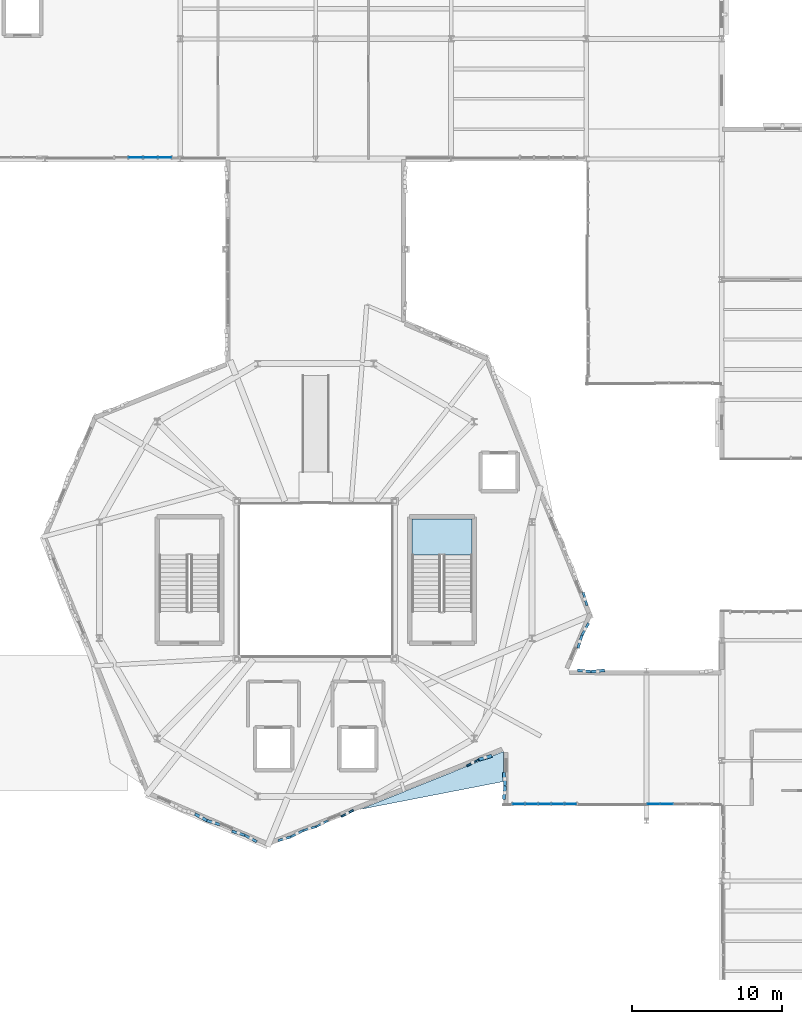
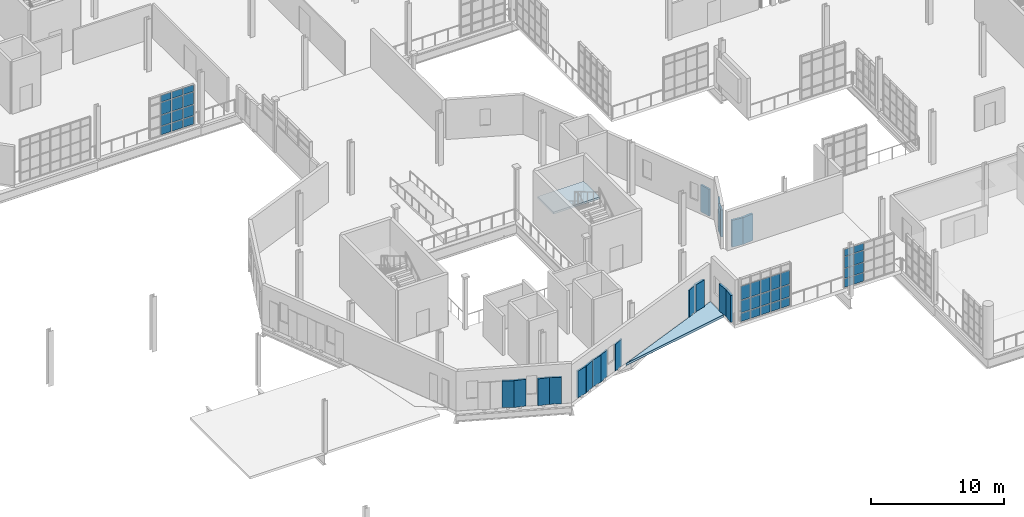
# One storey, part 80 of 122: 53 plates, 2 slabs, 4 elements without a shape of their own.
"""IFC4 building model written with IfcOpenShell, lengths in metres."""

from ifc_helpers import new_model, si_unit, direction, frame, frame_2d, origin, origin_2d, place, context, subcontext, project, spatial, polyline, rectangle, outline, extrude, material, layer, layer_set, type_object, element, aggregate, save


model = new_model("IFC4")

# Units and contexts
model_context = context("Model", 3, precision=1e-05, world=origin(), true_north=direction((0.0, 1.0)))
body_context = subcontext(model_context, "Body", "Model", "MODEL_VIEW")
ifc_project = project(units=[si_unit("LENGTHUNIT", "METRE"), si_unit("AREAUNIT", "SQUARE_METRE"), si_unit("VOLUMEUNIT", "CUBIC_METRE"), si_unit("PLANEANGLEUNIT", "RADIAN"), si_unit("MASSUNIT", "GRAM", prefix="KILO"), si_unit("THERMODYNAMICTEMPERATUREUNIT", "KELVIN"), si_unit("POWERUNIT", "WATT")], contexts=[model_context])

# Site, building, storey
site_placement = place(None, origin())
site = spatial("IfcSite", under=ifc_project, at=site_placement, CompositionType="ELEMENT")
building_placement = place(site_placement, origin())
building = spatial("IfcBuilding", under=site, at=building_placement, Name="Zelmaris Science Centre", CompositionType="ELEMENT")
storey_placement = place(building_placement, frame((0.0, 0.0, 10.800048828125)))
storey = spatial("IfcBuildingStorey", under=building, at=storey_placement, Name="L02", CompositionType="ELEMENT", Elevation=10.800048828125)

# Curtain wall, plates
ifc_material_1 = material(Name="Anodised architectural aluminium 6063-T6", Category="aluminium")
ifc_layer_1 = layer(ifc_material_1, 0.18994140625, Name="Anodised architectural aluminium 6063-T6")
ifc_layer_set_1 = layer_set([ifc_layer_1], Name="Anodised architectural aluminium 6063-T6")
curtain_wall_type_1 = type_object("IfcCurtainWallType", Name="Curtain Wall CW-01", PredefinedType="USERDEFINED", material=ifc_layer_set_1)
curtain_wall_1_placement = place(storey_placement, origin())
curtain_wall_1 = element("IfcCurtainWall", 1, at=curtain_wall_1_placement, inside=storey, type_object=curtain_wall_type_1, Name="L02 Unitised curtain wall 249", ObjectType="GLAZED CURTAIN WALL", PredefinedType="USERDEFINED")
ifc_material_2 = material(Name="Laminated hurricane-rated low-E insulated glazing", Category="glass")
ifc_layer_2 = layer(ifc_material_2, 0.031982421875, Name="Laminated hurricane-rated low-E insulated glazing")
ifc_layer_set_2 = layer_set([ifc_layer_2], Name="Laminated hurricane-rated low-E insulated glazing")
plate_type_1 = type_object("IfcPlateType", Name="Curtain Glazing Panel CWP-1 32mm", PredefinedType="CURTAIN_PANEL", material=ifc_layer_set_2)
plate_1_placement = place(storey_placement, frame((97.9580078125, 21.1201171875, 0.05712890625), z_axis=(0.0, 0.0, 1.0), x_axis=(-0.999999999739, 2.286603e-05, 0.0)))
plate_1 = element("IfcPlate", 2, at=plate_1_placement, type_object=plate_type_1, Name="CW-01 panel 1.1", PredefinedType="CURTAIN_PANEL", context=body_context, shape_type="SweptSolid", body=[
    extrude(rectangle(XDim=0.7666015625, YDim=0.031982421875, at=origin_2d()), origin(), (0.0, 0.0, 1.0), 0.741943359375),
])
plate_2_placement = place(storey_placement, frame((97.9580078125, 21.1201171875, 0.87109375), z_axis=(0.0, 0.0, 1.0), x_axis=(-0.999999999739, 2.286603e-05, 0.0)))
plate_2 = element("IfcPlate", 3, at=plate_2_placement, type_object=plate_type_1, Name="CW-01 panel 1.2", PredefinedType="CURTAIN_PANEL", context=body_context, shape_type="SweptSolid", body=[
    extrude(rectangle(XDim=0.7666015625, YDim=0.031982421875, at=origin_2d()), origin(), (0.0, 0.0, 1.0), 1.095458984375),
])
plate_3_placement = place(storey_placement, frame((97.9580078125, 21.1201171875, 2.038330078125), z_axis=(0.0, 0.0, 1.0), x_axis=(-0.999999999739, 2.286603e-05, 0.0)))
plate_3 = element("IfcPlate", 4, at=plate_3_placement, type_object=plate_type_1, Name="CW-01 panel 1.3", PredefinedType="CURTAIN_PANEL", context=body_context, shape_type="SweptSolid", body=[
    extrude(rectangle(XDim=0.7666015625, YDim=0.031982421875, at=origin_2d()), origin(), (0.0, 0.0, 1.0), 1.24560546875),
])
plate_4_placement = place(storey_placement, frame((97.101318359375, 21.1201171875, 0.05712890625), z_axis=(0.0, 0.0, 1.0), x_axis=(-0.999999999739, 2.286603e-05, 0.0)))
plate_4 = element("IfcPlate", 5, at=plate_4_placement, type_object=plate_type_1, Name="CW-01 panel 2.1", PredefinedType="CURTAIN_PANEL", context=body_context, shape_type="SweptSolid", body=[
    extrude(rectangle(XDim=0.802734375, YDim=0.031982421875, at=origin_2d()), origin(), (0.0, 0.0, 1.0), 0.741943359375),
])
plate_5_placement = place(storey_placement, frame((97.101318359375, 21.1201171875, 0.87109375), z_axis=(0.0, 0.0, 1.0), x_axis=(-0.999999999739, 2.286603e-05, 0.0)))
plate_5 = element("IfcPlate", 6, at=plate_5_placement, type_object=plate_type_1, Name="CW-01 panel 2.2", PredefinedType="CURTAIN_PANEL", context=body_context, shape_type="SweptSolid", body=[
    extrude(rectangle(XDim=0.802734375, YDim=0.031982421875, at=origin_2d()), origin(), (0.0, 0.0, 1.0), 1.095458984375),
])
plate_6_placement = place(storey_placement, frame((97.101318359375, 21.1201171875, 2.038330078125), z_axis=(0.0, 0.0, 1.0), x_axis=(-0.999999999739, 2.286603e-05, 0.0)))
plate_6 = element("IfcPlate", 7, at=plate_6_placement, type_object=plate_type_1, Name="CW-01 panel 2.3", PredefinedType="CURTAIN_PANEL", context=body_context, shape_type="SweptSolid", body=[
    extrude(rectangle(XDim=0.802734375, YDim=0.031982421875, at=origin_2d()), origin(), (0.0, 0.0, 1.0), 1.24560546875),
])
plate_7_placement = place(storey_placement, frame((96.226806640625, 21.1201171875, 0.05712890625), z_axis=(0.0, 0.0, 1.0), x_axis=(-0.999999999739, 2.286603e-05, 0.0)))
plate_7 = element("IfcPlate", 8, at=plate_7_placement, type_object=plate_type_1, Name="CW-01 panel 3.1", PredefinedType="CURTAIN_PANEL", context=body_context, shape_type="SweptSolid", body=[
    extrude(rectangle(XDim=0.802734375, YDim=0.031982421875, at=origin_2d()), origin(), (0.0, 0.0, 1.0), 0.741943359375),
])
plate_8_placement = place(storey_placement, frame((96.226806640625, 21.1201171875, 0.87109375), z_axis=(0.0, 0.0, 1.0), x_axis=(-0.999999999739, 2.286603e-05, 0.0)))
plate_8 = element("IfcPlate", 9, at=plate_8_placement, type_object=plate_type_1, Name="CW-01 panel 3.2", PredefinedType="CURTAIN_PANEL", context=body_context, shape_type="SweptSolid", body=[
    extrude(rectangle(XDim=0.802734375, YDim=0.031982421875, at=origin_2d()), origin(), (0.0, 0.0, 1.0), 1.095458984375),
])
plate_9_placement = place(storey_placement, frame((96.226806640625, 21.1201171875, 2.038330078125), z_axis=(0.0, 0.0, 1.0), x_axis=(-0.999999999739, 2.286603e-05, 0.0)))
plate_9 = element("IfcPlate", 10, at=plate_9_placement, type_object=plate_type_1, Name="CW-01 panel 3.3", PredefinedType="CURTAIN_PANEL", context=body_context, shape_type="SweptSolid", body=[
    extrude(rectangle(XDim=0.802734375, YDim=0.031982421875, at=origin_2d()), origin(), (0.0, 0.0, 1.0), 1.24560546875),
])
plate_10_placement = place(storey_placement, frame((95.35205078125, 21.1201171875, 0.05712890625), z_axis=(0.0, 0.0, 1.0), x_axis=(-0.999999999739, 2.286603e-05, 0.0)))
plate_10 = element("IfcPlate", 11, at=plate_10_placement, type_object=plate_type_1, Name="CW-01 panel 4.1", PredefinedType="CURTAIN_PANEL", context=body_context, shape_type="SweptSolid", body=[
    extrude(rectangle(XDim=0.802734375, YDim=0.031982421875, at=origin_2d()), origin(), (0.0, 0.0, 1.0), 0.741943359375),
])
plate_11_placement = place(storey_placement, frame((95.35205078125, 21.1201171875, 0.87109375), z_axis=(0.0, 0.0, 1.0), x_axis=(-0.999999999739, 2.286603e-05, 0.0)))
plate_11 = element("IfcPlate", 12, at=plate_11_placement, type_object=plate_type_1, Name="CW-01 panel 4.2", PredefinedType="CURTAIN_PANEL", context=body_context, shape_type="SweptSolid", body=[
    extrude(rectangle(XDim=0.802734375, YDim=0.031982421875, at=origin_2d()), origin(), (0.0, 0.0, 1.0), 1.095458984375),
])
plate_12_placement = place(storey_placement, frame((95.35205078125, 21.1201171875, 2.038330078125), z_axis=(0.0, 0.0, 1.0), x_axis=(-0.999999999739, 2.286603e-05, 0.0)))
plate_12 = element("IfcPlate", 13, at=plate_12_placement, type_object=plate_type_1, Name="CW-01 panel 4.3", PredefinedType="CURTAIN_PANEL", context=body_context, shape_type="SweptSolid", body=[
    extrude(rectangle(XDim=0.802734375, YDim=0.031982421875, at=origin_2d()), origin(), (0.0, 0.0, 1.0), 1.24560546875),
])
plate_13_placement = place(storey_placement, frame((94.495361328125, 21.1201171875, 0.05712890625), z_axis=(0.0, 0.0, 1.0), x_axis=(-0.999999999739, 2.286603e-05, 0.0)))
plate_13 = element("IfcPlate", 14, at=plate_13_placement, type_object=plate_type_1, Name="CW-01 panel 5.1", PredefinedType="CURTAIN_PANEL", context=body_context, shape_type="SweptSolid", body=[
    extrude(rectangle(XDim=0.7666015625, YDim=0.031982421875, at=origin_2d()), origin(), (0.0, 0.0, 1.0), 0.741943359375),
])
plate_14_placement = place(storey_placement, frame((94.495361328125, 21.1201171875, 0.87109375), z_axis=(0.0, 0.0, 1.0), x_axis=(-0.999999999739, 2.286603e-05, 0.0)))
plate_14 = element("IfcPlate", 15, at=plate_14_placement, type_object=plate_type_1, Name="CW-01 panel 5.2", PredefinedType="CURTAIN_PANEL", context=body_context, shape_type="SweptSolid", body=[
    extrude(rectangle(XDim=0.7666015625, YDim=0.031982421875, at=origin_2d()), origin(), (0.0, 0.0, 1.0), 1.095458984375),
])
plate_15_placement = place(storey_placement, frame((94.495361328125, 21.1201171875, 2.038330078125), z_axis=(0.0, 0.0, 1.0), x_axis=(-0.999999999739, 2.286603e-05, 0.0)))
plate_15 = element("IfcPlate", 16, at=plate_15_placement, type_object=plate_type_1, Name="CW-01 panel 5.3", PredefinedType="CURTAIN_PANEL", context=body_context, shape_type="SweptSolid", body=[
    extrude(rectangle(XDim=0.7666015625, YDim=0.031982421875, at=origin_2d()), origin(), (0.0, 0.0, 1.0), 1.24560546875),
])
aggregate(curtain_wall_1, [plate_1, plate_2, plate_3, plate_4, plate_5, plate_6, plate_7, plate_8, plate_9, plate_10, plate_11, plate_12, plate_13, plate_14, plate_15])

ifc_layer_3 = layer(ifc_material_1, 0.199951171875, Name="Anodised architectural aluminium 6063-T6")
ifc_layer_set_3 = layer_set([ifc_layer_3], Name="Anodised architectural aluminium 6063-T6")
curtain_wall_type_2 = type_object("IfcCurtainWallType", Name="Curtain Wall CW-02", PredefinedType="USERDEFINED", material=ifc_layer_set_3)
curtain_wall_2_placement = place(storey_placement, origin())
curtain_wall_2 = element("IfcCurtainWall", 17, at=curtain_wall_2_placement, inside=storey, type_object=curtain_wall_type_2, Name="L02 Unitised curtain wall 254", ObjectType="GLAZED CURTAIN WALL", PredefinedType="USERDEFINED")
ifc_layer_4 = layer(ifc_material_2, 0.028076171875, Name="Laminated hurricane-rated low-E insulated glazing")
ifc_layer_set_4 = layer_set([ifc_layer_4], Name="Laminated hurricane-rated low-E insulated glazing")
plate_type_2 = type_object("IfcPlateType", Name="Curtain Glazing Panel CWP-2 28mm", PredefinedType="CURTAIN_PANEL", material=ifc_layer_set_4)
plate_16_placement = place(storey_placement, frame((70.955810546875, 64.116455078125, 0.052001953125), z_axis=(0.0, 0.0, 1.0), x_axis=(-0.999999973373, 0.000230769229, 0.0)))
plate_16 = element("IfcPlate", 18, at=plate_16_placement, type_object=plate_type_2, Name="CW-02 panel 1.1", PredefinedType="CURTAIN_PANEL", context=body_context, shape_type="SweptSolid", body=[
    extrude(rectangle(XDim=0.87451171875, YDim=0.028076171875, at=origin_2d()), origin(), (0.0, 0.0, 1.0), 0.74951171875),
])
plate_17_placement = place(storey_placement, frame((70.955810546875, 64.116455078125, 0.868408203125), z_axis=(0.0, 0.0, 1.0), x_axis=(-0.999999973373, 0.000230769229, 0.0)))
plate_17 = element("IfcPlate", 19, at=plate_17_placement, type_object=plate_type_2, Name="CW-02 panel 1.2", PredefinedType="CURTAIN_PANEL", context=body_context, shape_type="SweptSolid", body=[
    extrude(rectangle(XDim=0.87451171875, YDim=0.028076171875, at=origin_2d()), origin(), (0.0, 0.0, 1.0), 0.9580078125),
])
plate_18_placement = place(storey_placement, frame((70.955810546875, 64.116455078125, 1.8935546875), z_axis=(0.0, 0.0, 1.0), x_axis=(-0.999999973373, 0.000230769229, 0.0)))
plate_18 = element("IfcPlate", 20, at=plate_18_placement, type_object=plate_type_2, Name="CW-02 panel 1.3", PredefinedType="CURTAIN_PANEL", context=body_context, shape_type="SweptSolid", body=[
    extrude(rectangle(XDim=0.87451171875, YDim=0.028076171875, at=origin_2d()), origin(), (0.0, 0.0, 1.0), 1.10791015625),
])
plate_19_placement = place(storey_placement, frame((70.955810546875, 64.116455078125, 3.068359375), z_axis=(0.0, 0.0, 1.0), x_axis=(-0.999999973373, 0.000230769229, 0.0)))
plate_19 = element("IfcPlate", 21, at=plate_19_placement, type_object=plate_type_2, Name="CW-02 panel 1.4", PredefinedType="CURTAIN_PANEL", context=body_context, shape_type="SweptSolid", body=[
    extrude(rectangle(XDim=0.87451171875, YDim=0.028076171875, at=origin_2d()), origin(), (0.0, 0.0, 1.0), 0.599609375),
])
plate_20_placement = place(storey_placement, frame((69.99755859375, 64.11669921875, 0.052001953125), z_axis=(0.0, 0.0, 1.0), x_axis=(-0.999999973373, 0.000230769229, 0.0)))
plate_20 = element("IfcPlate", 22, at=plate_20_placement, type_object=plate_type_2, Name="CW-02 panel 2.1", PredefinedType="CURTAIN_PANEL", context=body_context, shape_type="SweptSolid", body=[
    extrude(rectangle(XDim=0.907958984375, YDim=0.028076171875, at=origin_2d()), origin(), (0.0, 0.0, 1.0), 0.74951171875),
])
plate_21_placement = place(storey_placement, frame((69.99755859375, 64.11669921875, 0.868408203125), z_axis=(0.0, 0.0, 1.0), x_axis=(-0.999999973373, 0.000230769229, 0.0)))
plate_21 = element("IfcPlate", 23, at=plate_21_placement, type_object=plate_type_2, Name="CW-02 panel 2.2", PredefinedType="CURTAIN_PANEL", context=body_context, shape_type="SweptSolid", body=[
    extrude(rectangle(XDim=0.907958984375, YDim=0.028076171875, at=origin_2d()), origin(), (0.0, 0.0, 1.0), 0.9580078125),
])
plate_22_placement = place(storey_placement, frame((69.99755859375, 64.11669921875, 1.8935546875), z_axis=(0.0, 0.0, 1.0), x_axis=(-0.999999973373, 0.000230769229, 0.0)))
plate_22 = element("IfcPlate", 24, at=plate_22_placement, type_object=plate_type_2, Name="CW-02 panel 2.3", PredefinedType="CURTAIN_PANEL", context=body_context, shape_type="SweptSolid", body=[
    extrude(rectangle(XDim=0.907958984375, YDim=0.028076171875, at=origin_2d()), origin(), (0.0, 0.0, 1.0), 1.10791015625),
])
plate_23_placement = place(storey_placement, frame((69.99755859375, 64.11669921875, 3.068359375), z_axis=(0.0, 0.0, 1.0), x_axis=(-0.999999973373, 0.000230769229, 0.0)))
plate_23 = element("IfcPlate", 25, at=plate_23_placement, type_object=plate_type_2, Name="CW-02 panel 2.4", PredefinedType="CURTAIN_PANEL", context=body_context, shape_type="SweptSolid", body=[
    extrude(rectangle(XDim=0.907958984375, YDim=0.028076171875, at=origin_2d()), origin(), (0.0, 0.0, 1.0), 0.599609375),
])
plate_24_placement = place(storey_placement, frame((69.0224609375, 64.116943359375, 0.052001953125), z_axis=(0.0, 0.0, 1.0), x_axis=(-0.999999973373, 0.000230769229, 0.0)))
plate_24 = element("IfcPlate", 26, at=plate_24_placement, type_object=plate_type_2, Name="CW-02 panel 3.1", PredefinedType="CURTAIN_PANEL", context=body_context, shape_type="SweptSolid", body=[
    extrude(rectangle(XDim=0.907958984375, YDim=0.028076171875, at=origin_2d()), origin(), (0.0, 0.0, 1.0), 0.74951171875),
])
plate_25_placement = place(storey_placement, frame((69.0224609375, 64.116943359375, 0.868408203125), z_axis=(0.0, 0.0, 1.0), x_axis=(-0.999999973373, 0.000230769229, 0.0)))
plate_25 = element("IfcPlate", 27, at=plate_25_placement, type_object=plate_type_2, Name="CW-02 panel 3.2", PredefinedType="CURTAIN_PANEL", context=body_context, shape_type="SweptSolid", body=[
    extrude(rectangle(XDim=0.907958984375, YDim=0.028076171875, at=origin_2d()), origin(), (0.0, 0.0, 1.0), 0.9580078125),
])
plate_26_placement = place(storey_placement, frame((69.0224609375, 64.116943359375, 1.8935546875), z_axis=(0.0, 0.0, 1.0), x_axis=(-0.999999973373, 0.000230769229, 0.0)))
plate_26 = element("IfcPlate", 28, at=plate_26_placement, type_object=plate_type_2, Name="CW-02 panel 3.3", PredefinedType="CURTAIN_PANEL", context=body_context, shape_type="SweptSolid", body=[
    extrude(rectangle(XDim=0.907958984375, YDim=0.028076171875, at=origin_2d()), origin(), (0.0, 0.0, 1.0), 1.10791015625),
])
plate_27_placement = place(storey_placement, frame((69.0224609375, 64.116943359375, 3.068359375), z_axis=(0.0, 0.0, 1.0), x_axis=(-0.999999973373, 0.000230769229, 0.0)))
plate_27 = element("IfcPlate", 29, at=plate_27_placement, type_object=plate_type_2, Name="CW-02 panel 3.4", PredefinedType="CURTAIN_PANEL", context=body_context, shape_type="SweptSolid", body=[
    extrude(rectangle(XDim=0.907958984375, YDim=0.028076171875, at=origin_2d()), origin(), (0.0, 0.0, 1.0), 0.599609375),
])
aggregate(curtain_wall_2, [plate_16, plate_17, plate_18, plate_19, plate_20, plate_21, plate_22, plate_23, plate_24, plate_25, plate_26, plate_27])

ifc_layer_5 = layer(ifc_material_1, 0.2099609375, Name="Anodised architectural aluminium 6063-T6")
ifc_layer_set_5 = layer_set([ifc_layer_5], Name="Anodised architectural aluminium 6063-T6")
curtain_wall_type_3 = type_object("IfcCurtainWallType", Name="Curtain Wall CW-03", PredefinedType="USERDEFINED", material=ifc_layer_set_5)
curtain_wall_3_placement = place(storey_placement, origin())
curtain_wall_3 = element("IfcCurtainWall", 30, at=curtain_wall_3_placement, inside=storey, type_object=curtain_wall_type_3, Name="L02 Unitised curtain wall 247", ObjectType="GLAZED CURTAIN WALL", PredefinedType="USERDEFINED")
ifc_layer_6 = layer(ifc_material_2, 0.02587890625, Name="Laminated hurricane-rated low-E insulated glazing")
ifc_layer_set_6 = layer_set([ifc_layer_6], Name="Laminated hurricane-rated low-E insulated glazing")
plate_type_3 = type_object("IfcPlateType", Name="Curtain Glazing Panel CWP-3 26mm", PredefinedType="CURTAIN_PANEL", material=ifc_layer_set_6)
plate_28_placement = place(storey_placement, frame((104.338623046875, 21.1201171875, 0.0419921875), z_axis=(0.0, 0.0, 1.0), x_axis=(-1.0, 0.0, 0.0)))
plate_28 = element("IfcPlate", 31, at=plate_28_placement, type_object=plate_type_3, Name="CW-03 panel 4.1", PredefinedType="CURTAIN_PANEL", context=body_context, shape_type="SweptSolid", body=[
    extrude(rectangle(XDim=0.817626953125, YDim=0.02587890625, at=origin_2d()), origin(), (0.0, 0.0, 1.0), 0.764404296875),
])
plate_29_placement = place(storey_placement, frame((104.338623046875, 21.1201171875, 0.86328125), z_axis=(0.0, 0.0, 1.0), x_axis=(-1.0, 0.0, 0.0)))
plate_29 = element("IfcPlate", 32, at=plate_29_placement, type_object=plate_type_3, Name="CW-03 panel 4.2", PredefinedType="CURTAIN_PANEL", context=body_context, shape_type="SweptSolid", body=[
    extrude(rectangle(XDim=0.817626953125, YDim=0.02587890625, at=origin_2d()), origin(), (0.0, 0.0, 1.0), 0.886962890625),
])
plate_30_placement = place(storey_placement, frame((104.338623046875, 21.1201171875, 1.807373046875), z_axis=(0.0, 0.0, 1.0), x_axis=(-1.0, 0.0, 0.0)))
plate_30 = element("IfcPlate", 33, at=plate_30_placement, type_object=plate_type_3, Name="CW-03 panel 4.3", PredefinedType="CURTAIN_PANEL", context=body_context, shape_type="SweptSolid", body=[
    extrude(rectangle(XDim=0.817626953125, YDim=0.02587890625, at=origin_2d()), origin(), (0.0, 0.0, 1.0), 1.037109375),
])
plate_31_placement = place(storey_placement, frame((104.338623046875, 21.1201171875, 2.9013671875), z_axis=(0.0, 0.0, 1.0), x_axis=(-1.0, 0.0, 0.0)))
plate_31 = element("IfcPlate", 34, at=plate_31_placement, type_object=plate_type_3, Name="CW-03 panel 4.4", PredefinedType="CURTAIN_PANEL", context=body_context, shape_type="SweptSolid", body=[
    extrude(rectangle(XDim=0.817626953125, YDim=0.02587890625, at=origin_2d()), origin(), (0.0, 0.0, 1.0), 0.614501953125),
])
plate_32_placement = place(storey_placement, frame((103.478271484375, 21.1201171875, 0.0419921875), z_axis=(0.0, 0.0, 1.0), x_axis=(-1.0, 0.0, 0.0)))
plate_32 = element("IfcPlate", 35, at=plate_32_placement, type_object=plate_type_3, Name="CW-03 panel 5.1", PredefinedType="CURTAIN_PANEL", context=body_context, shape_type="SweptSolid", body=[
    extrude(rectangle(XDim=0.7890625, YDim=0.02587890625, at=origin_2d()), origin(), (0.0, 0.0, 1.0), 0.764404296875),
])
plate_33_placement = place(storey_placement, frame((103.478271484375, 21.1201171875, 0.86328125), z_axis=(0.0, 0.0, 1.0), x_axis=(-1.0, 0.0, 0.0)))
plate_33 = element("IfcPlate", 36, at=plate_33_placement, type_object=plate_type_3, Name="CW-03 panel 5.2", PredefinedType="CURTAIN_PANEL", context=body_context, shape_type="SweptSolid", body=[
    extrude(rectangle(XDim=0.7890625, YDim=0.02587890625, at=origin_2d()), origin(), (0.0, 0.0, 1.0), 0.886962890625),
])
plate_34_placement = place(storey_placement, frame((103.478271484375, 21.1201171875, 1.807373046875), z_axis=(0.0, 0.0, 1.0), x_axis=(-1.0, 0.0, 0.0)))
plate_34 = element("IfcPlate", 37, at=plate_34_placement, type_object=plate_type_3, Name="CW-03 panel 5.3", PredefinedType="CURTAIN_PANEL", context=body_context, shape_type="SweptSolid", body=[
    extrude(rectangle(XDim=0.7890625, YDim=0.02587890625, at=origin_2d()), origin(), (0.0, 0.0, 1.0), 1.037109375),
])
plate_35_placement = place(storey_placement, frame((103.478271484375, 21.1201171875, 2.9013671875), z_axis=(0.0, 0.0, 1.0), x_axis=(-1.0, 0.0, 0.0)))
plate_35 = element("IfcPlate", 38, at=plate_35_placement, type_object=plate_type_3, Name="CW-03 panel 5.4", PredefinedType="CURTAIN_PANEL", context=body_context, shape_type="SweptSolid", body=[
    extrude(rectangle(XDim=0.7890625, YDim=0.02587890625, at=origin_2d()), origin(), (0.0, 0.0, 1.0), 0.614501953125),
])
aggregate(curtain_wall_3, [plate_28, plate_29, plate_30, plate_31, plate_32, plate_33, plate_34, plate_35])

# Plates
ifc_material_3 = material(Name="Precast concrete C40/50", Category="concrete")
ifc_layer_7 = layer(ifc_material_3, 0.110107421875, Name="Precast concrete C40/50")
ifc_layer_set_7 = layer_set([ifc_layer_7], Name="Precast concrete C40/50")
plate_type_4 = type_object("IfcPlateType", Name="Precast Facet Panel FP-01 110mm", PredefinedType="SHEET", material=ifc_layer_set_7)
plate_36_placement = place(storey_placement, frame((91.845703125, 24.064453125, 0.02001953125), z_axis=(0.0, 0.0, 1.0), x_axis=(-0.884783561399, -0.466002199005, 0.0)))
element("IfcPlate", 39, at=plate_36_placement, inside=storey, type_object=plate_type_4, Name="L02 Folded precast facet panel 60", PredefinedType="SHEET", context=body_context, shape_type="SweptSolid", body=[
    extrude(rectangle(XDim=0.90478515625, YDim=0.110107421875, at=frame_2d((0.452392578125, 0.0))), origin(), (0.0, 0.0, 1.0), 2.4599609375),
])
ifc_layer_8 = layer(ifc_material_3, 0.1201171875, Name="Precast concrete C40/50")
ifc_layer_set_8 = layer_set([ifc_layer_8], Name="Precast concrete C40/50")
plate_type_5 = type_object("IfcPlateType", Name="Precast Facet Panel FP-02 120mm", PredefinedType="SHEET", material=ifc_layer_set_8)
plate_37_placement = place(storey_placement, frame((83.498779296875, 20.697998046875, 0.02001953125), z_axis=(0.0, 0.0, 1.0), x_axis=(-0.884836233744, -0.465902177987, 0.0)))
element("IfcPlate", 40, at=plate_37_placement, inside=storey, type_object=plate_type_5, Name="L02 Folded precast facet panel 61", PredefinedType="SHEET", context=body_context, shape_type="SweptSolid", body=[
    extrude(rectangle(XDim=0.904541015625, YDim=0.1201171875, at=frame_2d((0.4521484375, 0.0))), origin(), (0.0, 0.0, 1.0), 2.4599609375),
])
ifc_layer_9 = layer(ifc_material_3, 0.1298828125, Name="Precast concrete C40/50")
ifc_layer_set_9 = layer_set([ifc_layer_9], Name="Precast concrete C40/50")
plate_type_6 = type_object("IfcPlateType", Name="Precast Facet Panel FP-03 130mm", PredefinedType="SHEET", material=ifc_layer_set_9)
plate_38_placement = place(storey_placement, frame((81.82958984375, 20.02490234375, 0.02001953125), z_axis=(0.0, 0.0, 1.0), x_axis=(-0.884783561399, -0.466002199005, 0.0)))
element("IfcPlate", 41, at=plate_38_placement, inside=storey, type_object=plate_type_6, Name="L02 Folded precast facet panel 62", PredefinedType="SHEET", context=body_context, shape_type="SweptSolid", body=[
    extrude(rectangle(XDim=0.90478515625, YDim=0.1298828125, at=frame_2d((0.452392578125, 0.0))), origin(), (0.0, 0.0, 1.0), 2.4599609375),
])
ifc_layer_10 = layer(ifc_material_3, 0.139892578125, Name="Precast concrete C40/50")
ifc_layer_set_10 = layer_set([ifc_layer_10], Name="Precast concrete C40/50")
plate_type_7 = type_object("IfcPlateType", Name="Precast Facet Panel FP-04 140mm", PredefinedType="SHEET", material=ifc_layer_set_10)
plate_39_placement = place(storey_placement, frame((81.029052734375, 19.603271484375, 0.02001953125), z_axis=(0.0, 0.0, 1.0), x_axis=(-0.960509234571, -0.278248109256, 0.0)))
element("IfcPlate", 42, at=plate_39_placement, inside=storey, type_object=plate_type_7, Name="L02 Folded precast facet panel 63", PredefinedType="SHEET", context=body_context, shape_type="SweptSolid", body=[
    extrude(rectangle(XDim=0.904541015625, YDim=0.139892578125, at=frame_2d((0.4521484375, 0.0))), origin(), (0.0, 0.0, 1.0), 2.4599609375),
])
ifc_layer_11 = layer(ifc_material_3, 0.14990234375, Name="Precast concrete C40/50")
ifc_layer_set_11 = layer_set([ifc_layer_11], Name="Precast concrete C40/50")
plate_type_8 = type_object("IfcPlateType", Name="Precast Facet Panel FP-05 150mm", PredefinedType="SHEET", material=ifc_layer_set_11)
plate_40_placement = place(storey_placement, frame((80.16015625, 19.3515625, 0.02001953125), z_axis=(0.0, 0.0, 1.0), x_axis=(-0.884724943924, -0.466113477168, 0.0)))
element("IfcPlate", 43, at=plate_40_placement, inside=storey, type_object=plate_type_8, Name="L02 Folded precast facet panel 64", PredefinedType="SHEET", context=body_context, shape_type="SweptSolid", body=[
    extrude(rectangle(XDim=0.904541015625, YDim=0.14990234375, at=frame_2d((0.4521484375, 0.0))), origin(), (0.0, 0.0, 1.0), 2.4599609375),
])
plate_41_placement = place(storey_placement, frame((98.785400390625, 35.182861328125, 0.02001953125), z_axis=(0.0, 0.0, 1.0), x_axis=(0.278745970996, -0.960364870064, 0.0)))
element("IfcPlate", 44, at=plate_41_placement, inside=storey, type_object=plate_type_8, Name="L02 Folded precast facet panel 100", PredefinedType="SHEET", context=body_context, shape_type="SweptSolid", body=[
    extrude(rectangle(XDim=0.90478515625, YDim=0.14990234375, at=frame_2d((0.452392578125, 0.0))), origin(), (0.0, 0.0, 1.0), 2.4599609375),
])
ifc_layer_12 = layer(ifc_material_3, 0.159912109375, Name="Precast concrete C40/50")
ifc_layer_set_12 = layer_set([ifc_layer_12], Name="Precast concrete C40/50")
plate_type_9 = type_object("IfcPlateType", Name="Precast Facet Panel FP-06 160mm", PredefinedType="SHEET", material=ifc_layer_set_12)
plate_42_placement = place(storey_placement, frame((79.35986328125, 18.929931640625, 0.02001953125), z_axis=(0.0, 0.0, 1.0), x_axis=(-0.960509234571, -0.278248109256, 0.0)))
element("IfcPlate", 45, at=plate_42_placement, inside=storey, type_object=plate_type_9, Name="L02 Folded precast facet panel 65", PredefinedType="SHEET", context=body_context, shape_type="SweptSolid", body=[
    extrude(rectangle(XDim=0.904541015625, YDim=0.159912109375, at=frame_2d((0.4521484375, 0.0))), origin(), (0.0, 0.0, 1.0), 2.4599609375),
])
plate_43_placement = place(storey_placement, frame((99.144287109375, 33.138916015625, 0.02001953125), z_axis=(0.0, 0.0, 1.0), x_axis=(-0.481949826098, -0.87619881598, 0.0)))
element("IfcPlate", 46, at=plate_43_placement, inside=storey, type_object=plate_type_9, Name="L02 Folded precast facet panel 101", PredefinedType="SHEET", context=body_context, shape_type="SweptSolid", body=[
    extrude(rectangle(XDim=0.90478515625, YDim=0.159912109375, at=frame_2d((0.452392578125, 0.0))), origin(), (0.0, 0.0, 1.0), 2.4599609375),
])
ifc_layer_13 = layer(ifc_material_3, 0.169921875, Name="Precast concrete C40/50")
ifc_layer_set_13 = layer_set([ifc_layer_13], Name="Precast concrete C40/50")
plate_type_10 = type_object("IfcPlateType", Name="Precast Facet Panel FP-07 170mm", PredefinedType="SHEET", material=ifc_layer_set_13)
for number, where, z_axis, x_axis, name in (
    (47, (77.075439453125, 18.603515625, 0.02001953125), (0.0, 0.0, 1.0), (-0.876312759064, 0.481742616239, 0.0), "L02 Folded precast facet panel 66"),
    (48, (98.708251953125, 32.34619140625, 0.02001953125), (0.0, 0.0, 1.0), (-0.295507811839, -0.955340323205, 0.0), "L02 Folded precast facet panel 102"),
):
    element("IfcPlate", number, at=place(storey_placement, frame(where, z_axis=z_axis, x_axis=x_axis)), inside=storey, type_object=plate_type_10, Name=name, PredefinedType="SHEET", context=body_context, shape_type="SweptSolid", body=[
        extrude(rectangle(XDim=0.904541015625, YDim=0.169921875, at=frame_2d((0.4521484375, 0.0))), origin(), (0.0, 0.0, 1.0), 2.4599609375),
    ])
ifc_layer_14 = layer(ifc_material_3, 0.179931640625, Name="Precast concrete C40/50")
ifc_layer_set_14 = layer_set([ifc_layer_14], Name="Precast concrete C40/50")
plate_type_11 = type_object("IfcPlateType", Name="Precast Facet Panel FP-08 180mm", PredefinedType="SHEET", material=ifc_layer_set_14)
plate_44_placement = place(storey_placement, frame((76.28271484375, 19.039306640625, 0.02001953125), z_axis=(0.0, 0.0, 1.0), x_axis=(-0.955316747714, 0.29558401773, 0.0)))
element("IfcPlate", 49, at=plate_44_placement, inside=storey, type_object=plate_type_11, Name="L02 Folded precast facet panel 67", PredefinedType="SHEET", context=body_context, shape_type="SweptSolid", body=[
    extrude(rectangle(XDim=0.904541015625, YDim=0.179931640625, at=frame_2d((0.4521484375, 0.0))), origin(), (0.0, 0.0, 1.0), 2.4599609375),
])
plate_45_placement = place(storey_placement, frame((98.414794921875, 30.001220703125, 0.02001953125), z_axis=(0.0, 0.0, 1.0), x_axis=(0.994785650785, -0.101987788445, 0.0)))
element("IfcPlate", 50, at=plate_45_placement, inside=storey, type_object=plate_type_11, Name="L02 Folded precast facet panel 103", PredefinedType="SHEET", context=body_context, shape_type="SweptSolid", body=[
    extrude(rectangle(XDim=0.90478515625, YDim=0.179931640625, at=frame_2d((0.452392578125, 0.0))), origin(), (0.0, 0.0, 1.0), 2.4599609375),
])
ifc_layer_15 = layer(ifc_material_3, 0.18994140625, Name="Precast concrete C40/50")
ifc_layer_set_15 = layer_set([ifc_layer_15], Name="Precast concrete C40/50")
plate_type_12 = type_object("IfcPlateType", Name="Precast Facet Panel FP-09 190mm", PredefinedType="SHEET", material=ifc_layer_set_15)
for number, where, z_axis, x_axis, name in (
    (51, (74.6259765625, 19.74267578125, 0.02001953125), (0.0, 0.0, 1.0), (-0.955340323205, 0.295507811839, 0.0), "L02 Folded precast facet panel 68"),
    (52, (99.31494140625, 29.908935546875, 0.02001953125), (0.0, 0.0, 1.0), (0.994945909262, 0.100412338102, 0.0), "L02 Folded precast facet panel 104"),
):
    element("IfcPlate", number, at=place(storey_placement, frame(where, z_axis=z_axis, x_axis=x_axis)), inside=storey, type_object=plate_type_12, Name=name, PredefinedType="SHEET", context=body_context, shape_type="SweptSolid", body=[
        extrude(rectangle(XDim=0.904541015625, YDim=0.18994140625, at=frame_2d((0.4521484375, 0.0))), origin(), (0.0, 0.0, 1.0), 2.4599609375),
    ])
ifc_layer_16 = layer(ifc_material_3, 0.199951171875, Name="Precast concrete C40/50")
ifc_layer_set_16 = layer_set([ifc_layer_16], Name="Precast concrete C40/50")
plate_type_13 = type_object("IfcPlateType", Name="Precast Facet Panel FP-10 200mm", PredefinedType="SHEET", material=ifc_layer_set_16)
plate_46_placement = place(storey_placement, frame((93.508544921875, 21.423095703125, 0.02001953125), z_axis=(0.0, 0.0, 1.0), x_axis=(0.101213852315, 0.994864692357, 0.0)))
element("IfcPlate", 53, at=plate_46_placement, inside=storey, type_object=plate_type_13, Name="L02 Folded precast facet panel 57", PredefinedType="SHEET", context=body_context, shape_type="SweptSolid", body=[
    extrude(rectangle(XDim=0.904541015625, YDim=0.199951171875, at=frame_2d((0.4521484375, 0.0))), origin(), (0.0, 0.0, 1.0), 2.4599609375),
])
plate_47_placement = place(storey_placement, frame((73.76171875, 20.010009765625, 0.02001953125), z_axis=(0.0, 0.0, 1.0), x_axis=(-0.87619881598, 0.481949826098, 0.0)))
element("IfcPlate", 54, at=plate_47_placement, inside=storey, type_object=plate_type_13, Name="L02 Folded precast facet panel 69", PredefinedType="SHEET", context=body_context, shape_type="SweptSolid", body=[
    extrude(rectangle(XDim=0.90478515625, YDim=0.199951171875, at=frame_2d((0.452392578125, 0.0))), origin(), (0.0, 0.0, 1.0), 2.4599609375),
])
ifc_layer_17 = layer(ifc_material_3, 0.2099609375, Name="Precast concrete C40/50")
ifc_layer_set_17 = layer_set([ifc_layer_17], Name="Precast concrete C40/50")
plate_type_14 = type_object("IfcPlateType", Name="Precast Facet Panel FP-11 210mm", PredefinedType="SHEET", material=ifc_layer_set_17)
plate_48_placement = place(storey_placement, frame((93.60009765625, 22.322998046875, 0.02001953125), z_axis=(0.0, 0.0, 1.0), x_axis=(-0.101213852315, 0.994864692357, 0.0)))
element("IfcPlate", 55, at=plate_48_placement, inside=storey, type_object=plate_type_14, Name="L02 Folded precast facet panel 58", PredefinedType="SHEET", context=body_context, shape_type="SweptSolid", body=[
    extrude(rectangle(XDim=0.904541015625, YDim=0.2099609375, at=frame_2d((0.4521484375, 0.0))), origin(), (0.0, 0.0, 1.0), 2.4599609375),
])
ifc_layer_18 = layer(ifc_material_3, 0.219970703125, Name="Precast concrete C40/50")
ifc_layer_set_18 = layer_set([ifc_layer_18], Name="Precast concrete C40/50")
plate_type_15 = type_object("IfcPlateType", Name="Precast Facet Panel FP-12 220mm", PredefinedType="SHEET", material=ifc_layer_set_18)
plate_49_placement = place(storey_placement, frame((92.714599609375, 24.316162109375, 0.02001953125), z_axis=(0.0, 0.0, 1.0), x_axis=(-0.960509234571, -0.278248109256, 0.0)))
element("IfcPlate", 56, at=plate_49_placement, inside=storey, type_object=plate_type_15, Name="L02 Folded precast facet panel 59", PredefinedType="SHEET", context=body_context, shape_type="SweptSolid", body=[
    extrude(rectangle(XDim=0.904541015625, YDim=0.219970703125, at=frame_2d((0.4521484375, 0.0))), origin(), (0.0, 0.0, 1.0), 2.4599609375),
])

# Stair, slab
ifc_material_4 = material(Name="Concrete C40/50", Category="concrete")
stair_type = type_object("IfcStairType", Name="Exit Stair ST-B W1900", PredefinedType="HALF_TURN_STAIR", material=ifc_material_4)
stair_placement = place(storey_placement, origin())
stair = element("IfcStair", 57, at=stair_placement, inside=storey, type_object=stair_type, Name="L02 Exit Stair Core ST-2", PredefinedType="HALF_TURN_STAIR")
ifc_material_5 = material(Name="Concrete C35/45", Category="concrete")
ifc_layer_19 = layer(ifc_material_5, 0.18994140625, Name="Concrete C35/45")
ifc_layer_set_19 = layer_set([ifc_layer_19], Name="Concrete C35/45")
slab_type_1 = type_object("IfcSlabType", Name="Slab SL-LD190 190mm", PredefinedType="LANDING", material=ifc_layer_set_19)
slab_1_placement = place(storey_placement, frame((0.0, 0.0, 2.2099609375)))
slab_1 = element("IfcSlab", 58, at=slab_1_placement, type_object=slab_type_1, Name="ST-2 landing 1", PredefinedType="LANDING", context=body_context, shape_type="SweptSolid", body=[
    extrude(outline(polyline([(91.39990234375, 37.669921875), (91.39990234375, 40.050048828125), (87.39990234375, 40.050048828125), (87.39990234375, 37.669921875), (91.39990234375, 37.669921875)])), origin(), (0.0, 0.0, 1.0), 0.18994140625),
])
aggregate(stair, [slab_1])

# Slab
ifc_layer_20 = layer(ifc_material_5, 0.219970703125, Name="Concrete C35/45")
ifc_layer_set_20 = layer_set([ifc_layer_20], Name="Concrete C35/45")
slab_type_2 = type_object("IfcSlabType", Name="Slab SL-RF220 220mm", PredefinedType="ROOF", material=ifc_layer_set_20)
slab_2_placement = place(storey_placement, frame((0.0, 0.0, -0.219970703125)))
element("IfcSlab", 59, at=slab_2_placement, inside=storey, type_object=slab_type_2, Name="L02 Exhibition setback cornice roof 1", PredefinedType="ROOF", context=body_context, shape_type="SweptSolid", body=[
    extrude(outline(polyline([(93.47998046875, 24.60498046875), (93.47998046875, 22.60302734375), (83.9296875, 20.74658203125), (93.47998046875, 24.60498046875)])), origin(), (0.0, 0.0, 1.0), 0.219970703125),
])

save(model, "model.ifc")
